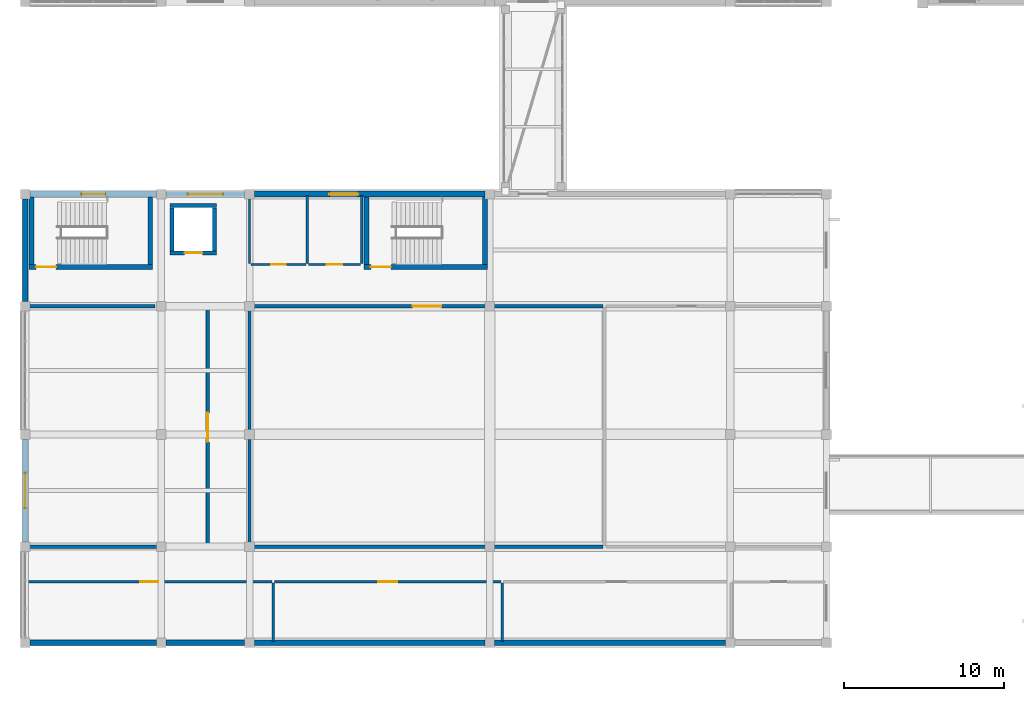
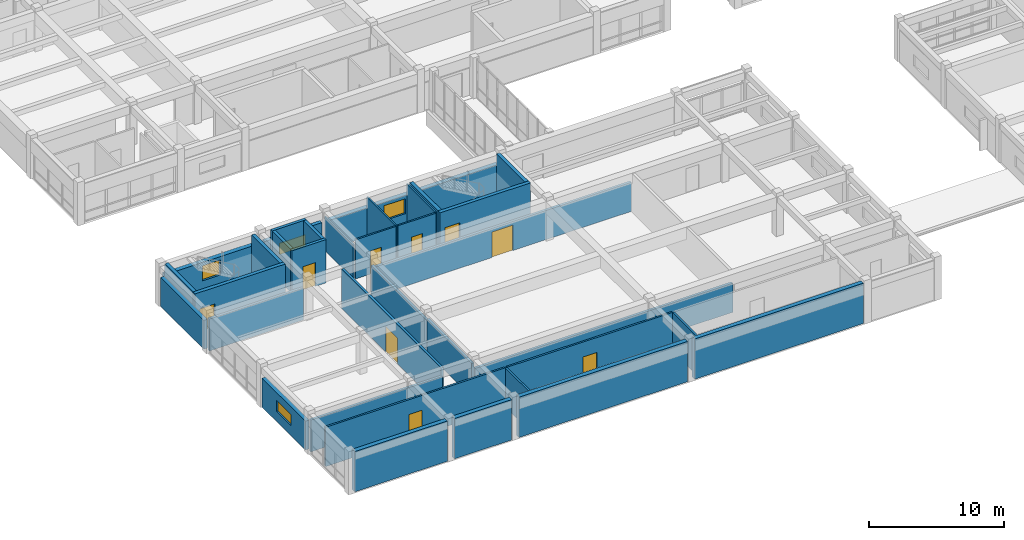
# One storey, part 44 of 66: 35 walls, 9 doors, 4 windows, 13 openings.
"""IFC4 building model written with IfcOpenShell, lengths in metres."""

from ifc_helpers import new_model, si_unit, direction, frame, frame_2d, origin, place, context, subcontext, project, spatial, rectangle, extrude, material, layer, layer_set, type_object, element, fill, save


model = new_model("IFC4")

# Units and contexts
model_context = context("Model", 3, precision=1e-05, world=origin(), true_north=direction((0.0, 1.0)))
body_context = subcontext(model_context, "Body", "Model", "MODEL_VIEW")
ifc_project = project(units=[si_unit("LENGTHUNIT", "METRE"), si_unit("AREAUNIT", "SQUARE_METRE"), si_unit("VOLUMEUNIT", "CUBIC_METRE"), si_unit("PLANEANGLEUNIT", "RADIAN"), si_unit("MASSUNIT", "GRAM", prefix="KILO")], contexts=[model_context])

# Site, building, storey
site_placement = place(None, origin())
site = spatial("IfcSite", under=ifc_project, at=site_placement, CompositionType="ELEMENT")
building_placement = place(site_placement, origin())
building = spatial("IfcBuilding", under=site, at=building_placement, Name="Naurynzar Civic Courthouse", CompositionType="ELEMENT")
storey_placement = place(building_placement, frame((0.0, 0.0, 14.39990234375)))
storey = spatial("IfcBuildingStorey", under=building, at=storey_placement, Name="L04", CompositionType="ELEMENT", Elevation=14.39990234375)

# Walls
ifc_material_1 = material(Name="Acoustic Double-Stud Gypsum Partition")
ifc_layer_1 = layer(ifc_material_1, 0.205078125)
ifc_layer_set_1 = layer_set([ifc_layer_1], Name="WL-ACOUSTIC-205")
wall_type_1 = type_object("IfcWallType", Name="WL-ACOUSTIC-205", PredefinedType="PARTITIONING", material=ifc_layer_set_1)
wall_1_placement = place(storey_placement, frame((6.080078125, 10.0, 0.0), z_axis=(0.0, 0.0, 1.0), x_axis=(1.0, 0.0, 0.0)))
element("IfcWall", 1, at=wall_1_placement, inside=storey, type_object=wall_type_1, Name="V4 interior partition L04.444", PredefinedType="PARTITIONING", context=body_context, shape_type="SweptSolid", body=[
    extrude(rectangle(XDim=11.239990234375, YDim=0.205078125, at=frame_2d((5.6201171875, 0.0))), origin(), (0.0, 0.0, 1.0), 2.880126953125),
])
wall_2_placement = place(storey_placement, frame((6.080078125, 25.0, 0.0), z_axis=(0.0, 0.0, 1.0), x_axis=(1.0, 0.0, 0.0)))
element("IfcWall", 2, at=wall_2_placement, inside=storey, type_object=wall_type_1, Name="V4 interior partition L04.456", PredefinedType="PARTITIONING", context=body_context, shape_type="SweptSolid", body=[
    extrude(rectangle(XDim=8.02001953125, YDim=0.205078125, at=frame_2d((4.010009765625, 0.0))), origin(), (0.0, 0.0, 1.0), 2.880126953125),
])

# Wall, opening, door
wall_3_placement = place(storey_placement, frame((17.39990234375, 10.080078125, 0.0), z_axis=(0.0, 0.0, 1.0), x_axis=(0.0, 1.0, 0.0)))
wall_3 = element("IfcWall", 3, at=wall_3_placement, inside=storey, type_object=wall_type_1, Name="V4 interior partition L04.514", PredefinedType="PARTITIONING", context=body_context, shape_type="SweptSolid", body=[
    extrude(rectangle(XDim=14.719970703125, YDim=0.205078125, at=frame_2d((7.35986328125, 0.0))), origin(), (0.0, 0.0, 1.0), 3.5400390625),
])
opening_1_placement = place(wall_3_placement, frame((6.4599609375, 0.0, 0.0)))
opening_1 = element("IfcOpeningElement", 4, at=opening_1_placement, cuts=wall_3, Name="Opening D-081", PredefinedType="OPENING", context=body_context, shape_type="SweptSolid", body=[
    extrude(rectangle(XDim=1.800048828125, YDim=2.300048828125, at=frame_2d((0.89990234375, 1.14990234375))), frame((0.0, 0.112548828125, 0.0), z_axis=(0.0, -1.0, 0.0), x_axis=(1.0, 0.0, 0.0)), (0.0, 0.0, 1.0), 0.22509765625),
])
ifc_material_2 = material(Name="Acoustic Oak Timber Grade A", Category="wood")
door_type_1 = type_object("IfcDoorType", Name="DR-COURT-DBL-1800x2300", OperationType="DOUBLE_DOOR_SINGLE_SWING", PredefinedType="DOOR", material=ifc_material_2)
door_1_placement = place(opening_1_placement, origin())
door_1 = element("IfcDoor", 5, at=door_1_placement, inside=storey, type_object=door_type_1, Name="Interior door D-081 (Commercial Arbitration Hearing Courtroom 1)", OperationType="DOUBLE_DOOR_SINGLE_SWING", OverallHeight=2.300048828125, OverallWidth=1.800048828125, PredefinedType="DOOR", context=body_context, shape_type="SweptSolid", body=[
    extrude(rectangle(XDim=1.800048828125, YDim=2.300048828125, at=frame_2d((0.89990234375, 1.14990234375))), frame((0.0, 0.02490234375, 0.0), z_axis=(0.0, -1.0, 0.0), x_axis=(1.0, 0.0, 0.0)), (0.0, 0.0, 1.0), 0.050048828125),
])
fill(opening_1, door_1)

# Wall
ifc_material_3 = material(Name="Acoustic Double-Stud Gypsum Partition")
ifc_layer_2 = layer(ifc_material_3, 0.2099609375)
ifc_layer_set_2 = layer_set([ifc_layer_2], Name="WL-ACOUSTIC-210")
wall_type_2 = type_object("IfcWallType", Name="WL-ACOUSTIC-210", PredefinedType="PARTITIONING", material=ifc_layer_set_2)
wall_4_placement = place(storey_placement, frame((20.080078125, 10.0, 0.0), z_axis=(0.0, 0.0, 1.0), x_axis=(1.0, 0.0, 0.0)))
element("IfcWall", 6, at=wall_4_placement, inside=storey, type_object=wall_type_2, Name="V4 interior partition L04.445", PredefinedType="PARTITIONING", context=body_context, shape_type="SweptSolid", body=[
    extrude(rectangle(XDim=21.989990234375, YDim=0.2099609375, at=frame_2d((10.9951171875, 0.0))), origin(), (0.0, 0.0, 1.0), 2.630126953125),
])

# Wall, opening, door
wall_5_placement = place(storey_placement, frame((20.080078125, 25.0, 0.0), z_axis=(0.0, 0.0, 1.0), x_axis=(1.0, 0.0, 0.0)))
wall_5 = element("IfcWall", 7, at=wall_5_placement, inside=storey, type_object=wall_type_2, Name="V4 interior partition L04.457", PredefinedType="PARTITIONING", context=body_context, shape_type="SweptSolid", body=[
    extrude(rectangle(XDim=21.989990234375, YDim=0.2099609375, at=frame_2d((10.9951171875, 0.0))), origin(), (0.0, 0.0, 1.0), 2.630126953125),
])
opening_2_placement = place(wall_5_placement, frame((10.094970703125, 0.0, 0.0)))
opening_2 = element("IfcOpeningElement", 8, at=opening_2_placement, cuts=wall_5, Name="Opening D-082", PredefinedType="OPENING", context=body_context, shape_type="SweptSolid", body=[
    extrude(rectangle(XDim=1.800048828125, YDim=2.300048828125, at=frame_2d((0.89990234375, 1.14990234375))), frame((0.0, 0.114990234375, 0.0), z_axis=(0.0, -1.0, 0.0), x_axis=(1.0, 0.0, 0.0)), (0.0, 0.0, 1.0), 0.22998046875),
])
door_2_placement = place(opening_2_placement, origin())
door_2 = element("IfcDoor", 9, at=door_2_placement, inside=storey, type_object=door_type_1, Name="Interior door D-082 (Commercial Arbitration Hearing Courtroom 2)", OperationType="DOUBLE_DOOR_SINGLE_SWING", OverallHeight=2.300048828125, OverallWidth=1.800048828125, PredefinedType="DOOR", context=body_context, shape_type="SweptSolid", body=[
    extrude(rectangle(XDim=1.800048828125, YDim=2.300048828125, at=frame_2d((0.89990234375, 1.14990234375))), frame((0.0, 0.02490234375, 0.0), z_axis=(0.0, -1.0, 0.0), x_axis=(1.0, 0.0, 0.0)), (0.0, 0.0, 1.0), 0.050048828125),
])
fill(opening_2, door_2)

# Walls
wall_6_placement = place(storey_placement, frame((20.0, 10.080078125, 0.0), z_axis=(0.0, 0.0, 1.0), x_axis=(0.0, 1.0, 0.0)))
element("IfcWall", 10, at=wall_6_placement, inside=storey, type_object=wall_type_2, Name="V4 interior partition L04.515a", PredefinedType="PARTITIONING", context=body_context, shape_type="SweptSolid", body=[
    extrude(rectangle(XDim=6.619873046875, YDim=0.2099609375, at=frame_2d((3.31005859375, 0.0))), origin(), (0.0, 0.0, 1.0), 3.030029296875),
])
wall_7_placement = place(storey_placement, frame((20.0, 16.699951171875, 0.0), z_axis=(0.0, 0.0, 1.0), x_axis=(0.0, 1.0, 0.0)))
element("IfcWall", 11, at=wall_7_placement, inside=storey, type_object=wall_type_2, Name="V4 interior partition L04.515ab", PredefinedType="PARTITIONING", context=body_context, shape_type="SweptSolid", body=[
    extrude(rectangle(XDim=8.219970703125, YDim=0.2099609375, at=frame_2d((4.10986328125, 0.0))), origin(), (0.0, 0.0, 1.0), 2.880126953125),
])

# Wall, opening, door
ifc_material_4 = material(Name="Concrete C40/50", Category="concrete")
ifc_layer_3 = layer(ifc_material_4, 0.300048828125)
ifc_layer_set_3 = layer_set([ifc_layer_3], Name="WL-CORE-300")
wall_type_3 = type_object("IfcWallType", Name="WL-CORE-300", PredefinedType="SHEAR", material=ifc_layer_set_3)
wall_8_placement = place(storey_placement, frame((6.25, 27.449951171875, 0.0), z_axis=(0.0, 0.0, 1.0), x_axis=(1.0, 0.0, 0.0)))
wall_8 = element("IfcWall", 12, at=wall_8_placement, inside=storey, type_object=wall_type_3, Name="Stair ST-V4A enclosure wall south L04", PredefinedType="SHEAR", context=body_context, shape_type="SweptSolid", body=[
    extrude(rectangle(XDim=7.699951171875, YDim=0.300048828125, at=frame_2d((3.85009765625, 0.0))), origin(), (0.0, 0.0, 1.0), 3.64013671875),
])
opening_3_placement = place(wall_8_placement, frame((0.425048828125, 0.0, 0.0)))
opening_3 = element("IfcOpeningElement", 13, at=opening_3_placement, cuts=wall_8, Name="Opening SD-015", PredefinedType="OPENING", context=body_context, shape_type="SweptSolid", body=[
    extrude(rectangle(XDim=1.25, YDim=2.14990234375, at=frame_2d((0.625, 1.074951171875))), frame((0.0, 0.159912109375, 0.0), z_axis=(0.0, -1.0, 0.0), x_axis=(1.0, 0.0, 0.0)), (0.0, 0.0, 1.0), 0.320068359375),
])
ifc_material_5 = material(Name="Powder-Coated Galvanised Steel", Category="steel")
door_type_2 = type_object("IfcDoorType", Name="DR-STAIR-1250x2150", OperationType="NOTDEFINED", PredefinedType="DOOR", material=ifc_material_5)
door_3_placement = place(opening_3_placement, origin())
door_3 = element("IfcDoor", 14, at=door_3_placement, inside=storey, type_object=door_type_2, Name="Stair ST-V4A fire door L04", OperationType="SINGLE_SWING_LEFT", OverallHeight=2.14990234375, OverallWidth=1.25, PredefinedType="DOOR", context=body_context, shape_type="SweptSolid", body=[
    extrude(rectangle(XDim=1.25, YDim=2.14990234375, at=frame_2d((0.625, 1.074951171875))), frame((0.0, 0.02490234375, 0.0), z_axis=(0.0, -1.0, 0.0), x_axis=(1.0, 0.0, 0.0)), (0.0, 0.0, 1.0), 0.050048828125),
])
fill(opening_3, door_3)

# Walls
for number, where, z_axis, x_axis, name in (
    (15, (6.39990234375, 31.804931640625, 0.0), (0.0, 0.0, 1.0), (0.0, -1.0, 0.0), "Stair ST-V4A enclosure wall west L04"),
    (16, (13.800048828125, 27.60498046875, 0.0), (0.0, 0.0, 1.0), (0.0, 1.0, 0.0), "Stair ST-V4A enclosure wall east L04"),
):
    element("IfcWall", number, at=place(storey_placement, frame(where, z_axis=z_axis, x_axis=x_axis)), inside=storey, type_object=wall_type_3, Name=name, PredefinedType="SHEAR", context=body_context, shape_type="SweptSolid", body=[
        extrude(rectangle(XDim=4.199951171875, YDim=0.300048828125, at=frame_2d((2.10009765625, 0.0))), origin(), (0.0, 0.0, 1.0), 3.64013671875),
    ])

# Wall, opening, door
wall_9_placement = place(storey_placement, frame((27.14990234375, 27.449951171875, 0.0), z_axis=(0.0, 0.0, 1.0), x_axis=(1.0, 0.0, 0.0)))
wall_9 = element("IfcWall", 17, at=wall_9_placement, inside=storey, type_object=wall_type_3, Name="Stair ST-V4B enclosure wall south L04", PredefinedType="SHEAR", context=body_context, shape_type="SweptSolid", body=[
    extrude(rectangle(XDim=7.7001953125, YDim=0.300048828125, at=frame_2d((3.85009765625, 0.0))), origin(), (0.0, 0.0, 1.0), 3.64013671875),
])
opening_4_placement = place(wall_9_placement, frame((0.425048828125, 0.0, 0.0)))
opening_4 = element("IfcOpeningElement", 18, at=opening_4_placement, cuts=wall_9, Name="Opening SD-021", PredefinedType="OPENING", context=body_context, shape_type="SweptSolid", body=[
    extrude(rectangle(XDim=1.25, YDim=2.14990234375, at=frame_2d((0.625, 1.074951171875))), frame((0.0, 0.159912109375, 0.0), z_axis=(0.0, -1.0, 0.0), x_axis=(1.0, 0.0, 0.0)), (0.0, 0.0, 1.0), 0.320068359375),
])
door_4_placement = place(opening_4_placement, origin())
door_4 = element("IfcDoor", 19, at=door_4_placement, inside=storey, type_object=door_type_2, Name="Stair ST-V4B fire door L04", OperationType="SINGLE_SWING_LEFT", OverallHeight=2.14990234375, OverallWidth=1.25, PredefinedType="DOOR", context=body_context, shape_type="SweptSolid", body=[
    extrude(rectangle(XDim=1.25, YDim=2.14990234375, at=frame_2d((0.625, 1.074951171875))), frame((0.0, 0.02490234375, 0.0), z_axis=(0.0, -1.0, 0.0), x_axis=(1.0, 0.0, 0.0)), (0.0, 0.0, 1.0), 0.050048828125),
])
fill(opening_4, door_4)

# Walls
for number, where, z_axis, x_axis, name in (
    (20, (27.300048828125, 31.804931640625, 0.0), (0.0, 0.0, 1.0), (0.0, -1.0, 0.0), "Stair ST-V4B enclosure wall west L04"),
    (21, (34.699951171875, 27.60498046875, 0.0), (0.0, 0.0, 1.0), (0.0, 1.0, 0.0), "Stair ST-V4B enclosure wall east L04"),
):
    element("IfcWall", number, at=place(storey_placement, frame(where, z_axis=z_axis, x_axis=x_axis)), inside=storey, type_object=wall_type_3, Name=name, PredefinedType="SHEAR", context=body_context, shape_type="SweptSolid", body=[
        extrude(rectangle(XDim=4.199951171875, YDim=0.300048828125, at=frame_2d((2.10009765625, 0.0))), origin(), (0.0, 0.0, 1.0), 3.64013671875),
    ])

# Wall, opening, window
ifc_material_6 = material(Name="Precast concrete C40/50", Category="concrete")
ifc_layer_4 = layer(ifc_material_6, 0.320068359375)
ifc_layer_set_4 = layer_set([ifc_layer_4], Name="WL-EXT-320")
wall_type_4 = type_object("IfcWallType", Name="WL-EXT-320", PredefinedType="SOLIDWALL", material=ifc_layer_set_4)
wall_10_placement = place(storey_placement, frame((6.0, 10.300048828125, 0.0), z_axis=(0.0, 0.0, 1.0), x_axis=(0.0, 1.0, 0.0)))
wall_10 = element("IfcWall", 22, at=wall_10_placement, inside=storey, type_object=wall_type_4, Name="V4 exterior wall west L04.2.1", PredefinedType="SOLIDWALL", context=body_context, shape_type="SweptSolid", body=[
    extrude(rectangle(XDim=6.39990234375, YDim=0.320068359375, at=frame_2d((3.199951171875, 0.0))), origin(), (0.0, 0.0, 1.0), 2.610107421875),
])
opening_5_placement = place(wall_10_placement, frame((2.10009765625, 0.0, 0.89990234375)))
opening_5 = element("IfcOpeningElement", 23, at=opening_5_placement, cuts=wall_10, Name="Opening WN-18", PredefinedType="OPENING", context=body_context, shape_type="SweptSolid", body=[
    extrude(rectangle(XDim=2.199951171875, YDim=1.0, at=frame_2d((1.10009765625, 0.5))), frame((0.0, 0.169921875, 0.0), z_axis=(0.0, -1.0, 0.0), x_axis=(1.0, 0.0, 0.0)), (0.0, 0.0, 1.0), 0.340087890625),
])
ifc_material_7 = material(Name="Tempered Laminated Low-E Glass", Category="glass")
window_type_1 = type_object("IfcWindowType", Name="WIN-CLER-2200x1000", PartitioningType="DOUBLE_PANEL_VERTICAL", PredefinedType="WINDOW", material=ifc_material_7)
window_1_placement = place(opening_5_placement, origin())
window_1 = element("IfcWindow", 24, at=window_1_placement, inside=storey, type_object=window_type_1, Name="V4 window 227 L04", OverallHeight=1.0, OverallWidth=2.199951171875, PartitioningType="SINGLE_PANEL", PredefinedType="WINDOW", context=body_context, shape_type="SweptSolid", body=[
    extrude(rectangle(XDim=2.199951171875, YDim=1.0, at=frame_2d((1.10009765625, 0.5))), frame((0.0, 0.030029296875, 0.0), z_axis=(0.0, -1.0, 0.0), x_axis=(1.0, 0.0, 0.0)), (0.0, 0.0, 1.0), 0.06005859375),
])
fill(opening_5, window_1)

# Wall
wall_11_placement = place(storey_placement, frame((6.0, 25.300048828125, 0.0), z_axis=(0.0, 0.0, 1.0), x_axis=(0.0, 1.0, 0.0)))
element("IfcWall", 25, at=wall_11_placement, inside=storey, type_object=wall_type_4, Name="V4 exterior wall west L04.4.1", PredefinedType="SOLIDWALL", context=body_context, shape_type="SweptSolid", body=[
    extrude(rectangle(XDim=6.39990234375, YDim=0.320068359375, at=frame_2d((3.199951171875, 0.0))), origin(), (0.0, 0.0, 1.0), 2.610107421875),
])

# Wall, opening, window
wall_12_placement = place(storey_placement, frame((14.800048828125, 32.0, 0.0), z_axis=(0.0, 0.0, 1.0), x_axis=(1.0, 0.0, 0.0)))
wall_12 = element("IfcWall", 26, at=wall_12_placement, inside=storey, type_object=wall_type_4, Name="V4 exterior wall north L04.2.1", PredefinedType="SOLIDWALL", context=body_context, shape_type="SweptSolid", body=[
    extrude(rectangle(XDim=4.89990234375, YDim=0.320068359375, at=frame_2d((2.449951171875, 0.0))), origin(), (0.0, 0.0, 1.0), 2.610107421875),
])
opening_6_placement = place(wall_12_placement, frame((1.35009765625, 0.0, 0.89990234375)))
opening_6 = element("IfcOpeningElement", 27, at=opening_6_placement, cuts=wall_12, Name="Opening WN-18", PredefinedType="OPENING", context=body_context, shape_type="SweptSolid", body=[
    extrude(rectangle(XDim=2.199951171875, YDim=1.0, at=frame_2d((1.10009765625, 0.5))), frame((0.0, 0.169921875, 0.0), z_axis=(0.0, -1.0, 0.0), x_axis=(1.0, 0.0, 0.0)), (0.0, 0.0, 1.0), 0.340087890625),
])
window_2_placement = place(opening_6_placement, origin())
window_2 = element("IfcWindow", 28, at=window_2_placement, inside=storey, type_object=window_type_1, Name="V4 window 228 L04", OverallHeight=1.0, OverallWidth=2.199951171875, PartitioningType="SINGLE_PANEL", PredefinedType="WINDOW", context=body_context, shape_type="SweptSolid", body=[
    extrude(rectangle(XDim=2.199951171875, YDim=1.0, at=frame_2d((1.10009765625, 0.5))), frame((0.0, 0.030029296875, 0.0), z_axis=(0.0, -1.0, 0.0), x_axis=(1.0, 0.0, 0.0)), (0.0, 0.0, 1.0), 0.06005859375),
])
fill(opening_6, window_2)

# Wall, opening, door
ifc_material_8 = material(Name="Insulated Metal-Stud Gypsum Partition")
ifc_layer_5 = layer(ifc_material_8, 0.159912109375)
ifc_layer_set_5 = layer_set([ifc_layer_5], Name="WL-PART-CHAMB-160")
wall_type_5 = type_object("IfcWallType", Name="WL-PART-CHAMB-160", PredefinedType="PARTITIONING", material=ifc_layer_set_5)
wall_13_placement = place(storey_placement, frame((6.080078125, 7.800048828125, 0.0), z_axis=(0.0, 0.0, 1.0), x_axis=(1.0, 0.0, 0.0)))
wall_13 = element("IfcWall", 29, at=wall_13_placement, inside=storey, type_object=wall_type_5, Name="V4 interior partition L04.437", PredefinedType="PARTITIONING", context=body_context, shape_type="SweptSolid", body=[
    extrude(rectangle(XDim=15.31982421875, YDim=0.159912109375, at=frame_2d((7.659912109375, 0.0))), origin(), (0.0, 0.0, 1.0), 3.5400390625),
])
opening_7_placement = place(wall_13_placement, frame((7.090087890625, 0.0, 0.0)))
opening_7 = element("IfcOpeningElement", 30, at=opening_7_placement, cuts=wall_13, Name="Opening D-084", PredefinedType="OPENING", context=body_context, shape_type="SweptSolid", body=[
    extrude(rectangle(XDim=1.139892578125, YDim=2.199951171875, at=frame_2d((0.56982421875, 1.10009765625))), frame((0.0, 0.08984375, 0.0), z_axis=(0.0, -1.0, 0.0), x_axis=(1.0, 0.0, 0.0)), (0.0, 0.0, 1.0), 0.179931640625),
])
ifc_material_9 = material(Name="Acoustic Oak Timber Grade A", Category="wood")
door_type_3 = type_object("IfcDoorType", Name="DR-SUITE-1140x2200", OperationType="NOTDEFINED", PredefinedType="DOOR", material=ifc_material_9)
door_5_placement = place(opening_7_placement, origin())
door_5 = element("IfcDoor", 31, at=door_5_placement, inside=storey, type_object=door_type_3, Name="Interior door D-084 (Court Administrator Suite)", OperationType="SINGLE_SWING_RIGHT", OverallHeight=2.199951171875, OverallWidth=1.139892578125, PredefinedType="DOOR", context=body_context, shape_type="SweptSolid", body=[
    extrude(rectangle(XDim=1.139892578125, YDim=2.199951171875, at=frame_2d((0.56982421875, 1.10009765625))), frame((0.0, 0.02490234375, 0.0), z_axis=(0.0, -1.0, 0.0), x_axis=(1.0, 0.0, 0.0)), (0.0, 0.0, 1.0), 0.050048828125),
])
fill(opening_7, door_5)

wall_14_placement = place(storey_placement, frame((21.56005859375, 7.800048828125, 0.0), z_axis=(0.0, 0.0, 1.0), x_axis=(1.0, 0.0, 0.0)))
wall_14 = element("IfcWall", 32, at=wall_14_placement, inside=storey, type_object=wall_type_5, Name="V4 interior partition L04.438", PredefinedType="PARTITIONING", context=body_context, shape_type="SweptSolid", body=[
    extrude(rectangle(XDim=14.119873046875, YDim=0.159912109375, at=frame_2d((7.06005859375, 0.0))), origin(), (0.0, 0.0, 1.0), 3.5400390625),
])
opening_8_placement = place(wall_14_placement, frame((6.469970703125, 0.0, 0.0)))
opening_8 = element("IfcOpeningElement", 33, at=opening_8_placement, cuts=wall_14, Name="Opening D-085", PredefinedType="OPENING", context=body_context, shape_type="SweptSolid", body=[
    extrude(rectangle(XDim=1.179931640625, YDim=2.199951171875, at=frame_2d((0.58984375, 1.10009765625))), frame((0.0, 0.08984375, 0.0), z_axis=(0.0, -1.0, 0.0), x_axis=(1.0, 0.0, 0.0)), (0.0, 0.0, 1.0), 0.179931640625),
])
ifc_material_10 = material(Name="Acoustic Oak Timber Grade A", Category="wood")
door_type_4 = type_object("IfcDoorType", Name="DR-SUITE-1180x2200", OperationType="NOTDEFINED", PredefinedType="DOOR", material=ifc_material_10)
door_6_placement = place(opening_8_placement, origin())
door_6 = element("IfcDoor", 34, at=door_6_placement, inside=storey, type_object=door_type_4, Name="Interior door D-085 (Codification Department)", OperationType="SINGLE_SWING_LEFT", OverallHeight=2.199951171875, OverallWidth=1.179931640625, PredefinedType="DOOR", context=body_context, shape_type="SweptSolid", body=[
    extrude(rectangle(XDim=1.179931640625, YDim=2.199951171875, at=frame_2d((0.58984375, 1.10009765625))), frame((0.0, 0.02490234375, 0.0), z_axis=(0.0, -1.0, 0.0), x_axis=(1.0, 0.0, 0.0)), (0.0, 0.0, 1.0), 0.050048828125),
])
fill(opening_8, door_6)

# Walls
for number, where, z_axis, x_axis, name in (
    (35, (21.47998046875, 4.080078125, 0.0), (0.0, 0.0, 1.0), (0.0, 1.0, 0.0), "V4 interior partition L04.518"),
    (36, (35.760009765625, 4.080078125, 0.0), (0.0, 0.0, 1.0), (0.0, 1.0, 0.0), "V4 interior partition L04.526"),
):
    element("IfcWall", number, at=place(storey_placement, frame(where, z_axis=z_axis, x_axis=x_axis)), inside=storey, type_object=wall_type_5, Name=name, PredefinedType="PARTITIONING", context=body_context, shape_type="SweptSolid", body=[
        extrude(rectangle(XDim=3.639892578125, YDim=0.159912109375, at=frame_2d((1.81982421875, 0.0))), origin(), (0.0, 0.0, 1.0), 3.5400390625),
    ])

# Wall, opening, door
ifc_material_11 = material(Name="Moisture-Resistant Plumbing Partition")
ifc_layer_6 = layer(ifc_material_11, 0.139892578125)
ifc_layer_set_6 = layer_set([ifc_layer_6], Name="WL-PART-WC-140")
wall_type_6 = type_object("IfcWallType", Name="WL-PART-WC-140", PredefinedType="PLUMBINGWALL", material=ifc_layer_set_6)
wall_15_placement = place(storey_placement, frame((20.080078125, 27.60009765625, 0.0), z_axis=(0.0, 0.0, 1.0), x_axis=(1.0, 0.0, 0.0)))
wall_15 = element("IfcWall", 37, at=wall_15_placement, inside=storey, type_object=wall_type_6, Name="V4 interior partition L04.462", PredefinedType="PLUMBINGWALL", context=body_context, shape_type="SweptSolid", body=[
    extrude(rectangle(XDim=3.43994140625, YDim=0.139892578125, at=frame_2d((1.719970703125, 0.0))), origin(), (0.0, 0.0, 1.0), 3.5400390625),
])
opening_9_placement = place(wall_15_placement, frame((1.260009765625, 0.0, 0.0)))
opening_9 = element("IfcOpeningElement", 38, at=opening_9_placement, cuts=wall_15, Name="Opening D-079", PredefinedType="OPENING", context=body_context, shape_type="SweptSolid", body=[
    extrude(rectangle(XDim=0.919921875, YDim=2.10009765625, at=frame_2d((0.4599609375, 1.050048828125))), frame((0.0, 0.079833984375, 0.0), z_axis=(0.0, -1.0, 0.0), x_axis=(1.0, 0.0, 0.0)), (0.0, 0.0, 1.0), 0.159912109375),
])
ifc_material_12 = material(Name="Acoustic Oak Timber Grade A", Category="wood")
door_type_5 = type_object("IfcDoorType", Name="DR-WC-STD-920x2100", OperationType="NOTDEFINED", PredefinedType="DOOR", material=ifc_material_12)
door_7_placement = place(opening_9_placement, origin())
door_7 = element("IfcDoor", 39, at=door_7_placement, inside=storey, type_object=door_type_5, Name="Interior door D-079 (Public WC V4)", OperationType="SINGLE_SWING_LEFT", OverallHeight=2.10009765625, OverallWidth=0.919921875, PredefinedType="DOOR", context=body_context, shape_type="SweptSolid", body=[
    extrude(rectangle(XDim=0.919921875, YDim=2.10009765625, at=frame_2d((0.4599609375, 1.050048828125))), frame((0.0, 0.02490234375, 0.0), z_axis=(0.0, -1.0, 0.0), x_axis=(1.0, 0.0, 0.0)), (0.0, 0.0, 1.0), 0.050048828125),
])
fill(opening_9, door_7)

wall_16_placement = place(storey_placement, frame((23.679931640625, 27.60009765625, 0.0), z_axis=(0.0, 0.0, 1.0), x_axis=(1.0, 0.0, 0.0)))
wall_16 = element("IfcWall", 40, at=wall_16_placement, inside=storey, type_object=wall_type_6, Name="V4 interior partition L04.463", PredefinedType="PLUMBINGWALL", context=body_context, shape_type="SweptSolid", body=[
    extrude(rectangle(XDim=3.239990234375, YDim=0.139892578125, at=frame_2d((1.6201171875, 0.0))), origin(), (0.0, 0.0, 1.0), 3.5400390625),
])
opening_10_placement = place(wall_16_placement, frame((1.139892578125, 0.0, 0.0)))
opening_10 = element("IfcOpeningElement", 41, at=opening_10_placement, cuts=wall_16, Name="Opening D-080", PredefinedType="OPENING", context=body_context, shape_type="SweptSolid", body=[
    extrude(rectangle(XDim=0.9599609375, YDim=2.10009765625, at=frame_2d((0.47998046875, 1.050048828125))), frame((0.0, 0.079833984375, 0.0), z_axis=(0.0, -1.0, 0.0), x_axis=(1.0, 0.0, 0.0)), (0.0, 0.0, 1.0), 0.159912109375),
])
ifc_material_13 = material(Name="Acoustic Oak Timber Grade A", Category="wood")
door_type_6 = type_object("IfcDoorType", Name="DR-WC-ACC-960x2100", OperationType="NOTDEFINED", PredefinedType="DOOR", material=ifc_material_13)
door_8_placement = place(opening_10_placement, origin())
door_8 = element("IfcDoor", 42, at=door_8_placement, inside=storey, type_object=door_type_6, Name="Interior door D-080 (Accessible WC V4)", OperationType="SINGLE_SWING_RIGHT", OverallHeight=2.10009765625, OverallWidth=0.9599609375, PredefinedType="DOOR", context=body_context, shape_type="SweptSolid", body=[
    extrude(rectangle(XDim=0.9599609375, YDim=2.10009765625, at=frame_2d((0.47998046875, 1.050048828125))), frame((0.0, 0.02490234375, 0.0), z_axis=(0.0, -1.0, 0.0), x_axis=(1.0, 0.0, 0.0)), (0.0, 0.0, 1.0), 0.050048828125),
])
fill(opening_10, door_8)

# Walls
wall_17_placement = place(storey_placement, frame((20.0, 27.679931640625, 0.0), z_axis=(0.0, 0.0, 1.0), x_axis=(0.0, 1.0, 0.0)))
element("IfcWall", 43, at=wall_17_placement, inside=storey, type_object=wall_type_6, Name="V4 interior partition L04.516", PredefinedType="PLUMBINGWALL", context=body_context, shape_type="SweptSolid", body=[
    extrude(rectangle(XDim=4.239990234375, YDim=0.139892578125, at=frame_2d((2.1201171875, 0.0))), origin(), (0.0, 0.0, 1.0), 3.030029296875),
])
for number, where, z_axis, x_axis, name in (
    (44, (23.60009765625, 27.679931640625, 0.0), (0.0, 0.0, 1.0), (0.0, 1.0, 0.0), "V4 interior partition L04.520"),
    (45, (27.0, 27.679931640625, 0.0), (0.0, 0.0, 1.0), (0.0, 1.0, 0.0), "V4 interior partition L04.521"),
):
    element("IfcWall", number, at=place(storey_placement, frame(where, z_axis=z_axis, x_axis=x_axis)), inside=storey, type_object=wall_type_6, Name=name, PredefinedType="PLUMBINGWALL", context=body_context, shape_type="SweptSolid", body=[
        extrude(rectangle(XDim=4.239990234375, YDim=0.139892578125, at=frame_2d((2.1201171875, 0.0))), origin(), (0.0, 0.0, 1.0), 3.5400390625),
    ])
ifc_material_14 = material(Name="Concrete C40/50", Category="concrete")
ifc_layer_7 = layer(ifc_material_14, 0.360107421875)
ifc_layer_set_7 = layer_set([ifc_layer_7], Name="WL-PARTY-360")
wall_type_7 = type_object("IfcWallType", Name="WL-PARTY-360", PredefinedType="SOLIDWALL", material=ifc_layer_set_7)
for number, where, z_axis, x_axis, name in (
    (46, (49.699951171875, 4.0, 0.0), (0.0, 0.0, 1.0), (-1.0, 0.0, 0.0), "V4 solid seismic party wall L04 2"),
    (47, (34.699951171875, 4.0, 0.0), (0.0, 0.0, 1.0), (-1.0, 0.0, 0.0), "V4 solid seismic party wall L04 3"),
):
    element("IfcWall", number, at=place(storey_placement, frame(where, z_axis=z_axis, x_axis=x_axis)), inside=storey, type_object=wall_type_7, Name=name, PredefinedType="SOLIDWALL", context=body_context, shape_type="SweptSolid", body=[
        extrude(rectangle(XDim=14.39990234375, YDim=0.360107421875, at=frame_2d((7.199951171875, 0.0))), origin(), (0.0, 0.0, 1.0), 3.64013671875),
    ])
wall_18_placement = place(storey_placement, frame((19.699951171875, 4.0, 0.0), z_axis=(0.0, 0.0, 1.0), x_axis=(-1.0, 0.0, 0.0)))
element("IfcWall", 48, at=wall_18_placement, inside=storey, type_object=wall_type_7, Name="V4 solid seismic party wall L04 4", PredefinedType="SOLIDWALL", context=body_context, shape_type="SweptSolid", body=[
    extrude(rectangle(XDim=4.89990234375, YDim=0.360107421875, at=frame_2d((2.449951171875, 0.0))), origin(), (0.0, 0.0, 1.0), 3.64013671875),
])
wall_19_placement = place(storey_placement, frame((14.199951171875, 4.0, 0.0), z_axis=(0.0, 0.0, 1.0), x_axis=(-1.0, 0.0, 0.0)))
element("IfcWall", 49, at=wall_19_placement, inside=storey, type_object=wall_type_7, Name="V4 solid seismic party wall L04 5", PredefinedType="SOLIDWALL", context=body_context, shape_type="SweptSolid", body=[
    extrude(rectangle(XDim=7.89990234375, YDim=0.360107421875, at=frame_2d((3.949951171875, 0.0))), origin(), (0.0, 0.0, 1.0), 3.64013671875),
])

# Wall, opening, window
ifc_material_15 = material(Name="Concrete C40/50", Category="concrete")
ifc_layer_8 = layer(ifc_material_15, 0.3798828125)
ifc_layer_set_8 = layer_set([ifc_layer_8], Name="WL-RET-380")
wall_type_8 = type_object("IfcWallType", Name="WL-RET-380", PredefinedType="STANDARD", material=ifc_layer_set_8)
wall_20_placement = place(storey_placement, frame((6.300048828125, 32.0, 0.0), z_axis=(0.0, 0.0, 1.0), x_axis=(1.0, 0.0, 0.0)))
wall_20 = element("IfcWall", 50, at=wall_20_placement, inside=storey, type_object=wall_type_8, Name="V4 exterior wall north L04.1.1", PredefinedType="STANDARD", context=body_context, shape_type="SweptSolid", body=[
    extrude(rectangle(XDim=7.89990234375, YDim=0.3798828125, at=frame_2d((3.949951171875, 0.0))), origin(), (0.0, 0.0, 1.0), 2.610107421875),
])
opening_11_placement = place(wall_20_placement, frame((3.199951171875, 0.0, 0.949951171875)))
opening_11 = element("IfcOpeningElement", 51, at=opening_11_placement, cuts=wall_20, Name="Opening WM-25", PredefinedType="OPENING", context=body_context, shape_type="SweptSolid", body=[
    extrude(rectangle(XDim=1.5, YDim=1.35009765625, at=frame_2d((0.75, 0.675048828125))), frame((0.0, 0.199951171875, 0.0), z_axis=(0.0, -1.0, 0.0), x_axis=(1.0, 0.0, 0.0)), (0.0, 0.0, 1.0), 0.39990234375),
])
ifc_material_16 = material(Name="Tempered Laminated Low-E Glass", Category="glass")
window_type_2 = type_object("IfcWindowType", Name="WIN-MOD-1500x1350", PartitioningType="DOUBLE_PANEL_VERTICAL", PredefinedType="WINDOW", material=ifc_material_16)
window_3_placement = place(opening_11_placement, origin())
window_3 = element("IfcWindow", 52, at=window_3_placement, inside=storey, type_object=window_type_2, Name="Modular glazed window 25", OverallHeight=1.35009765625, OverallWidth=1.5, PartitioningType="SINGLE_PANEL", PredefinedType="WINDOW", context=body_context, shape_type="SweptSolid", body=[
    extrude(rectangle(XDim=1.5, YDim=1.35009765625, at=frame_2d((0.75, 0.675048828125))), frame((0.0, 0.030029296875, 0.0), z_axis=(0.0, -1.0, 0.0), x_axis=(1.0, 0.0, 0.0)), (0.0, 0.0, 1.0), 0.06005859375),
])
fill(opening_11, window_3)

wall_21_placement = place(storey_placement, frame((20.300048828125, 32.0, 0.0), z_axis=(0.0, 0.0, 1.0), x_axis=(1.0, 0.0, 0.0)))
wall_21 = element("IfcWall", 53, at=wall_21_placement, inside=storey, type_object=wall_type_8, Name="V4 exterior wall north L04.3.1", PredefinedType="STANDARD", context=body_context, shape_type="SweptSolid", body=[
    extrude(rectangle(XDim=14.39990234375, YDim=0.3798828125, at=frame_2d((7.199951171875, 0.0))), origin(), (0.0, 0.0, 1.0), 2.610107421875),
])
opening_12_placement = place(wall_21_placement, frame((4.679931640625, 0.0, 0.949951171875)))
opening_12 = element("IfcOpeningElement", 54, at=opening_12_placement, cuts=wall_21, Name="Opening WM-26", PredefinedType="OPENING", context=body_context, shape_type="SweptSolid", body=[
    extrude(rectangle(XDim=1.800048828125, YDim=1.35009765625, at=frame_2d((0.89990234375, 0.675048828125))), frame((0.0, 0.199951171875, 0.0), z_axis=(0.0, -1.0, 0.0), x_axis=(1.0, 0.0, 0.0)), (0.0, 0.0, 1.0), 0.39990234375),
])
ifc_material_17 = material(Name="Tempered Laminated Low-E Glass", Category="glass")
window_type_3 = type_object("IfcWindowType", Name="WIN-MOD-1800x1350", PartitioningType="DOUBLE_PANEL_VERTICAL", PredefinedType="WINDOW", material=ifc_material_17)
window_4_placement = place(opening_12_placement, origin())
window_4 = element("IfcWindow", 55, at=window_4_placement, inside=storey, type_object=window_type_3, Name="Modular glazed window 26", OverallHeight=1.35009765625, OverallWidth=1.800048828125, PartitioningType="SINGLE_PANEL", PredefinedType="WINDOW", context=body_context, shape_type="SweptSolid", body=[
    extrude(rectangle(XDim=1.800048828125, YDim=1.35009765625, at=frame_2d((0.89990234375, 0.675048828125))), frame((0.0, 0.030029296875, 0.0), z_axis=(0.0, -1.0, 0.0), x_axis=(1.0, 0.0, 0.0)), (0.0, 0.0, 1.0), 0.06005859375),
])
fill(opening_12, window_4)

# Wall, opening, door
ifc_material_18 = material(Name="Concrete C40/50", Category="concrete")
ifc_layer_9 = layer(ifc_material_18, 0.25)
ifc_layer_set_9 = layer_set([ifc_layer_9], Name="WL-SHAFT-250")
wall_type_9 = type_object("IfcWallType", Name="WL-SHAFT-250", PredefinedType="SHEAR", material=ifc_layer_set_9)
wall_22_placement = place(storey_placement, frame((15.050048828125, 28.324951171875, 0.0), z_axis=(0.0, 0.0, 1.0), x_axis=(1.0, 0.0, 0.0)))
wall_22 = element("IfcWall", 56, at=wall_22_placement, inside=storey, type_object=wall_type_9, Name="Lift LP-02 shaft wall south L04", PredefinedType="SHEAR", context=body_context, shape_type="SweptSolid", body=[
    extrude(rectangle(XDim=2.89990234375, YDim=0.25, at=frame_2d((1.449951171875, 0.0))), origin(), (0.0, 0.0, 1.0), 3.900146484375),
])
opening_13_placement = place(wall_22_placement, frame((0.89990234375, 0.0, 0.0)))
opening_13 = element("IfcOpeningElement", 57, at=opening_13_placement, cuts=wall_22, Name="Opening LD-015", PredefinedType="OPENING", context=body_context, shape_type="SweptSolid", body=[
    extrude(rectangle(XDim=1.10009765625, YDim=2.14990234375, at=frame_2d((0.550048828125, 1.074951171875))), frame((0.0, 0.135009765625, 0.0), z_axis=(0.0, -1.0, 0.0), x_axis=(1.0, 0.0, 0.0)), (0.0, 0.0, 1.0), 0.27001953125),
])
ifc_material_19 = material(Name="Brushed Stainless Steel 304", Category="steel")
door_type_7 = type_object("IfcDoorType", Name="DR-LIFT-SLIDE-1100x2150", OperationType="DOUBLE_DOOR_SLIDING", PredefinedType="DOOR", material=ifc_material_19)
door_9_placement = place(opening_13_placement, origin())
door_9 = element("IfcDoor", 58, at=door_9_placement, inside=storey, type_object=door_type_7, Name="Lift LP-02 sliding landing door L04", OperationType="DOUBLE_DOOR_SLIDING", OverallHeight=2.14990234375, OverallWidth=1.10009765625, PredefinedType="DOOR", context=body_context, shape_type="SweptSolid", body=[
    extrude(rectangle(XDim=1.10009765625, YDim=2.14990234375, at=frame_2d((0.550048828125, 1.074951171875))), frame((0.0, 0.02490234375, 0.0), z_axis=(0.0, -1.0, 0.0), x_axis=(1.0, 0.0, 0.0)), (0.0, 0.0, 1.0), 0.050048828125),
])
fill(opening_13, door_9)

# Walls
wall_23_placement = place(storey_placement, frame((17.949951171875, 31.27490234375, 0.0), z_axis=(0.0, 0.0, 1.0), x_axis=(-1.0, 0.0, 0.0)))
element("IfcWall", 59, at=wall_23_placement, inside=storey, type_object=wall_type_9, Name="Lift LP-02 shaft wall north L04", PredefinedType="SHEAR", context=body_context, shape_type="SweptSolid", body=[
    extrude(rectangle(XDim=2.89990234375, YDim=0.25, at=frame_2d((1.449951171875, 0.0))), origin(), (0.0, 0.0, 1.0), 3.900146484375),
])
for number, where, z_axis, x_axis, name in (
    (60, (15.175048828125, 31.14501953125, 0.0), (0.0, 0.0, 1.0), (0.0, -1.0, 0.0), "Lift LP-02 shaft wall west L04"),
    (61, (17.824951171875, 28.455078125, 0.0), (0.0, 0.0, 1.0), (0.0, 1.0, 0.0), "Lift LP-02 shaft wall east L04"),
):
    element("IfcWall", number, at=place(storey_placement, frame(where, z_axis=z_axis, x_axis=x_axis)), inside=storey, type_object=wall_type_9, Name=name, PredefinedType="SHEAR", context=body_context, shape_type="SweptSolid", body=[
        extrude(rectangle(XDim=2.68994140625, YDim=0.25, at=frame_2d((1.344970703125, 0.0))), origin(), (0.0, 0.0, 1.0), 3.900146484375),
    ])

save(model, "model.ifc")
